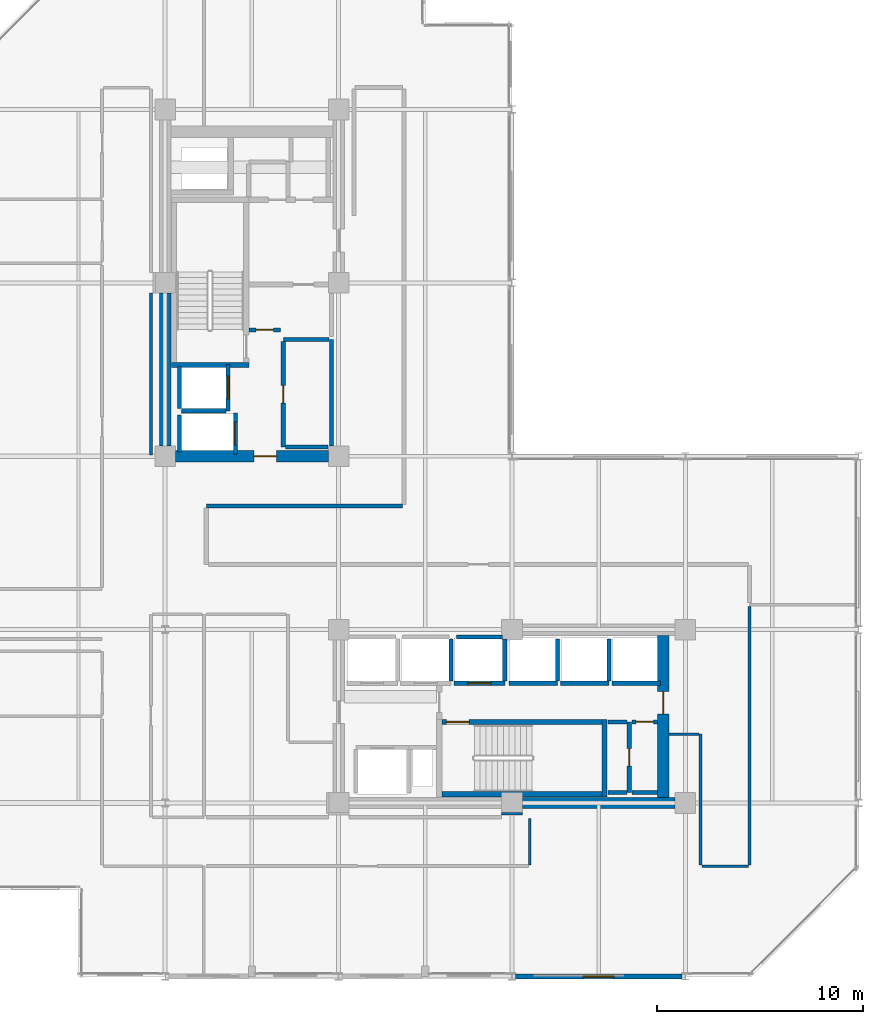
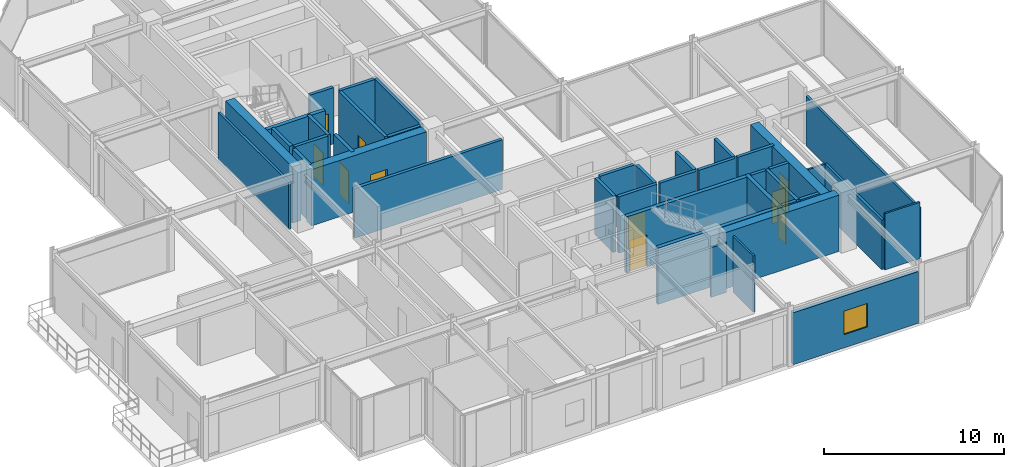
# One storey, part 25 of 29: 41 walls, 10 doors, 1 window, 11 openings.
"""IFC4 building model written with IfcOpenShell, lengths in metres."""

from ifc_helpers import new_model, si_unit, direction, frame, frame_2d, origin, place, context, subcontext, project, spatial, rectangle, extrude, material, layer, layer_set, type_object, element, fill, save


model = new_model("IFC4")

# Units and contexts
model_context = context("Model", 3, precision=1e-05, world=origin(), true_north=direction((0.0, 1.0)))
body_context = subcontext(model_context, "Body", "Model", "MODEL_VIEW")
ifc_project = project(units=[si_unit("LENGTHUNIT", "METRE"), si_unit("AREAUNIT", "SQUARE_METRE"), si_unit("VOLUMEUNIT", "CUBIC_METRE"), si_unit("PLANEANGLEUNIT", "RADIAN"), si_unit("MASSUNIT", "GRAM", prefix="KILO")], contexts=[model_context])

# Site, building, storey
site_placement = place(None, origin())
site = spatial("IfcSite", under=ifc_project, at=site_placement, CompositionType="ELEMENT")
building_placement = place(site_placement, origin())
building = spatial("IfcBuilding", under=site, at=building_placement, Name="Nerrivon Quay Data Exchange", CompositionType="ELEMENT")
storey_placement = place(building_placement, frame((0.0, 0.0, 175.5)))
storey = spatial("IfcBuildingStorey", under=building, at=storey_placement, Name="L41", CompositionType="ELEMENT", Elevation=175.5)

# Wall, opening, window
ifc_material_1 = material(Name="Architectural terracotta precast concrete N50 (50 MPa)", Category="masonry")
ifc_layer_1 = layer(ifc_material_1, 0.239990234375)
ifc_layer_set_1 = layer_set([ifc_layer_1], Name="Architectural terracotta precast concrete N50 (50 MPa)")
wall_type_1 = type_object("IfcWallType", Name="EW-PREC-240", PredefinedType="STANDARD", material=ifc_layer_set_1)
wall_1_placement = place(storey_placement, frame((33.425048828125, 0.0, 0.0), z_axis=(0.0, 0.0, 1.0), x_axis=(-1.0, 0.0, 0.0)))
wall_1 = element("IfcWall", 1, at=wall_1_placement, inside=storey, type_object=wall_type_1, Name="L41 Podium Precast Spandrel Wall 23", PredefinedType="STANDARD", context=body_context, shape_type="SweptSolid", body=[
    extrude(rectangle(XDim=8.050048828125, YDim=0.239990234375, at=frame_2d((4.02490234375, 0.0))), origin(), (0.0, 0.0, 1.0), 3.52490234375),
])
opening_1_placement = place(wall_1_placement, frame((3.27490234375, 0.0, 0.89990234375)))
opening_1 = element("IfcOpeningElement", 2, at=opening_1_placement, cuts=wall_1, Name="Opening WN4", PredefinedType="OPENING", context=body_context, shape_type="SweptSolid", body=[
    extrude(rectangle(XDim=1.5, YDim=1.60009765625, at=frame_2d((0.75, 0.800048828125))), frame((0.0, 0.1298828125, 0.0), z_axis=(0.0, -1.0, 0.0), x_axis=(1.0, 0.0, 0.0)), (0.0, 0.0, 1.0), 0.260009765625),
])
ifc_material_2 = material(Name="Double-glazed low-E solar control glass", Category="glass")
window_type = type_object("IfcWindowType", Name="WIN-W4-1500x1600", PartitioningType="SINGLE_PANEL", PredefinedType="WINDOW", material=ifc_material_2)
window_placement = place(opening_1_placement, origin())
window = element("IfcWindow", 3, at=window_placement, inside=storey, type_object=window_type, Name="L41 Solar Facade Window 23", OverallHeight=1.60009765625, OverallWidth=1.5, PartitioningType="SINGLE_PANEL", PredefinedType="WINDOW", context=body_context, shape_type="SweptSolid", body=[
    extrude(rectangle(XDim=1.5, YDim=1.60009765625, at=frame_2d((0.75, 0.800048828125))), frame((0.0, 0.030029296875, 0.0), z_axis=(0.0, -1.0, 0.0), x_axis=(1.0, 0.0, 0.0)), (0.0, 0.0, 1.0), 0.06005859375),
])
fill(opening_1, window)

# Wall
ifc_material_3 = material(Name="Concrete S65 (65 MPa)", Category="concrete")
ifc_layer_2 = layer(ifc_material_3, 0.550048828125)
ifc_layer_set_2 = layer_set([ifc_layer_2], Name="Concrete S65 (65 MPa)")
wall_type_2 = type_object("IfcWallType", Name="WALL-CW-700", PredefinedType="SHEAR", material=ifc_layer_set_2)
wall_2_placement = place(storey_placement, frame((8.39990234375, 25.699951171875, 0.0), z_axis=(0.0, 0.0, 1.0), x_axis=(0.0, 1.0, 0.0)))
element("IfcWall", 4, at=wall_2_placement, inside=storey, type_object=wall_type_2, Name="L41 West Split-Core Shear Wall WCW-W1", PredefinedType="SHEAR", context=body_context, shape_type="SweptSolid", body=[
    extrude(rectangle(XDim=7.400146484375, YDim=0.550048828125, at=frame_2d((3.7001953125, 0.0))), origin(), (0.0, 0.0, 1.0), 3.824951171875),
])

# Wall, opening, door
wall_3_placement = place(storey_placement, frame((8.89990234375, 25.199951171875, 0.0), z_axis=(0.0, 0.0, 1.0), x_axis=(1.0, 0.0, 0.0)))
wall_3 = element("IfcWall", 5, at=wall_3_placement, inside=storey, type_object=wall_type_2, Name="L41 West Split-Core Shear Wall WCW-S1", PredefinedType="SHEAR", context=body_context, shape_type="SweptSolid", body=[
    extrude(rectangle(XDim=7.400146484375, YDim=0.550048828125, at=frame_2d((3.7001953125, 0.0))), origin(), (0.0, 0.0, 1.0), 3.824951171875),
])
opening_2_placement = place(wall_3_placement, frame((3.800048828125, 0.0, 0.0)))
opening_2 = element("IfcOpeningElement", 6, at=opening_2_placement, cuts=wall_3, Name="Opening FD-120", PredefinedType="OPENING", context=body_context, shape_type="SweptSolid", body=[
    extrude(rectangle(XDim=1.10009765625, YDim=2.14990234375, at=frame_2d((0.550048828125, 1.074951171875))), frame((0.0, 0.284912109375, 0.0), z_axis=(0.0, -1.0, 0.0), x_axis=(1.0, 0.0, 0.0)), (0.0, 0.0, 1.0), 0.570068359375),
])
ifc_material_4 = material(Name="Powder-coated galvanized steel sheet", Category="steel")
door_type_1 = type_object("IfcDoorType", Name="DR-FD120-1100", OperationType="NOTDEFINED", PredefinedType="DOOR", material=ifc_material_4)
door_1_placement = place(opening_2_placement, origin())
door_1 = element("IfcDoor", 7, at=door_1_placement, inside=storey, type_object=door_type_1, Name="L41 West Core Lobby Fire Door", OperationType="SINGLE_SWING_RIGHT", OverallHeight=2.14990234375, OverallWidth=1.10009765625, PredefinedType="DOOR", context=body_context, shape_type="SweptSolid", body=[
    extrude(rectangle(XDim=1.10009765625, YDim=2.14990234375, at=frame_2d((0.550048828125, 1.074951171875))), frame((0.0, 0.02490234375, 0.0), z_axis=(0.0, -1.0, 0.0), x_axis=(1.0, 0.0, 0.0)), (0.0, 0.0, 1.0), 0.050048828125),
])
fill(opening_2, door_1)

# Wall
wall_4_placement = place(storey_placement, frame((25.699951171875, 8.39990234375, 0.0), z_axis=(0.0, 0.0, 1.0), x_axis=(1.0, 0.0, 0.0)))
element("IfcWall", 8, at=wall_4_placement, inside=storey, type_object=wall_type_2, Name="L41 East Split-Core Shear Wall ECW-S2", PredefinedType="SHEAR", context=body_context, shape_type="SweptSolid", body=[
    extrude(rectangle(XDim=7.400146484375, YDim=0.550048828125, at=frame_2d((3.7001953125, 0.0))), origin(), (0.0, 0.0, 1.0), 3.824951171875),
])

# Wall, opening, door
wall_5_placement = place(storey_placement, frame((32.52490234375, 8.675048828125, 0.0), z_axis=(0.0, 0.0, 1.0), x_axis=(0.0, 1.0, 0.0)))
wall_5 = element("IfcWall", 9, at=wall_5_placement, inside=storey, type_object=wall_type_2, Name="L41 East Split-Core Shear Wall ECW-E1", PredefinedType="SHEAR", context=body_context, shape_type="SweptSolid", body=[
    extrude(rectangle(XDim=7.849853515625, YDim=0.550048828125, at=frame_2d((3.9248046875, 0.0))), origin(), (0.0, 0.0, 1.0), 3.824951171875),
])
opening_3_placement = place(wall_5_placement, frame((4.02490234375, 0.0, 0.0)))
opening_3 = element("IfcOpeningElement", 10, at=opening_3_placement, cuts=wall_5, Name="Opening FD-120", PredefinedType="OPENING", context=body_context, shape_type="SweptSolid", body=[
    extrude(rectangle(XDim=1.10009765625, YDim=2.14990234375, at=frame_2d((0.550048828125, 1.074951171875))), frame((0.0, 0.284912109375, 0.0), z_axis=(0.0, -1.0, 0.0), x_axis=(1.0, 0.0, 0.0)), (0.0, 0.0, 1.0), 0.570068359375),
])
door_2_placement = place(opening_3_placement, origin())
door_2 = element("IfcDoor", 11, at=door_2_placement, inside=storey, type_object=door_type_1, Name="L41 East Core Lobby Fire Door", OperationType="SINGLE_SWING_LEFT", OverallHeight=2.14990234375, OverallWidth=1.10009765625, PredefinedType="DOOR", context=body_context, shape_type="SweptSolid", body=[
    extrude(rectangle(XDim=1.10009765625, YDim=2.14990234375, at=frame_2d((0.550048828125, 1.074951171875))), frame((0.0, 0.02490234375, 0.0), z_axis=(0.0, -1.0, 0.0), x_axis=(1.0, 0.0, 0.0)), (0.0, 0.0, 1.0), 0.050048828125),
])
fill(opening_3, door_2)

ifc_material_5 = material(Name="Gypsum plasterboard on cold-formed framing", Category="gypsum")
ifc_layer_3 = layer(ifc_material_5, 0.199951171875)
ifc_layer_set_3 = layer_set([ifc_layer_3], Name="Gypsum plasterboard on cold-formed framing")
wall_type_3 = type_object("IfcWallType", Name="WALL-FW-200", PredefinedType="PARTITIONING", material=ifc_layer_set_3)
wall_6_placement = place(storey_placement, frame((11.449951171875, 27.39990234375, 0.0), z_axis=(0.0, 0.0, 1.0), x_axis=(0.0, 1.0, 0.0)))
wall_6 = element("IfcWall", 12, at=wall_6_placement, inside=storey, type_object=wall_type_3, Name="L41 Lift Front Wall FFL-1", PredefinedType="PARTITIONING", context=body_context, shape_type="SweptSolid", body=[
    extrude(rectangle(XDim=2.25, YDim=0.199951171875, at=frame_2d((1.125, 0.0))), origin(), (0.0, 0.0, 1.0), 3.824951171875),
])
opening_4_placement = place(wall_6_placement, frame((0.574951171875, 0.0, 0.0)))
opening_4 = element("IfcOpeningElement", 13, at=opening_4_placement, cuts=wall_6, Name="Opening LD-120", PredefinedType="OPENING", context=body_context, shape_type="SweptSolid", body=[
    extrude(rectangle(XDim=1.10009765625, YDim=2.199951171875, at=frame_2d((0.550048828125, 1.10009765625))), frame((0.0, 0.10986328125, 0.0), z_axis=(0.0, -1.0, 0.0), x_axis=(1.0, 0.0, 0.0)), (0.0, 0.0, 1.0), 0.219970703125),
])
door_type_2 = type_object("IfcDoorType", Name="DR-LIFT-LD120", OperationType="DOUBLE_DOOR_SLIDING", PredefinedType="DOOR", material=ifc_material_4)
door_3_placement = place(opening_4_placement, origin())
door_3 = element("IfcDoor", 14, at=door_3_placement, inside=storey, type_object=door_type_2, Name="L41 Lift Landing Sliding Door FFL-1", OperationType="DOUBLE_DOOR_SLIDING", OverallHeight=2.199951171875, OverallWidth=1.10009765625, PredefinedType="DOOR", context=body_context, shape_type="SweptSolid", body=[
    extrude(rectangle(XDim=1.10009765625, YDim=2.199951171875, at=frame_2d((0.550048828125, 1.10009765625))), frame((0.0, 0.02490234375, 0.0), z_axis=(0.0, -1.0, 0.0), x_axis=(1.0, 0.0, 0.0)), (0.0, 0.0, 1.0), 0.050048828125),
])
fill(opening_4, door_3)

# Walls
wall_7_placement = place(storey_placement, frame((9.10009765625, 27.5, 0.0), z_axis=(0.0, 0.0, 1.0), x_axis=(0.0, 1.0, 0.0)))
element("IfcWall", 15, at=wall_7_placement, inside=storey, type_object=wall_type_3, Name="L41 Lift Shaft Wall FFL-1 WEST", PredefinedType="PARTITIONING", context=body_context, shape_type="SweptSolid", body=[
    extrude(rectangle(XDim=2.050048828125, YDim=0.199951171875, at=frame_2d((1.02490234375, 0.0))), origin(), (0.0, 0.0, 1.0), 3.824951171875),
])
wall_8_placement = place(storey_placement, frame((9.199951171875, 27.39990234375, 0.0), z_axis=(0.0, 0.0, 1.0), x_axis=(1.0, 0.0, 0.0)))
element("IfcWall", 16, at=wall_8_placement, inside=storey, type_object=wall_type_3, Name="L41 Lift Shaft Wall FFL-1 SOUTH", PredefinedType="PARTITIONING", context=body_context, shape_type="SweptSolid", body=[
    extrude(rectangle(XDim=2.150146484375, YDim=0.199951171875, at=frame_2d((1.0751953125, 0.0))), origin(), (0.0, 0.0, 1.0), 3.824951171875),
])

# Wall, opening, door
wall_9_placement = place(storey_placement, frame((11.800048828125, 25.300048828125, 0.0), z_axis=(0.0, 0.0, 1.0), x_axis=(0.0, 1.0, 0.0)))
wall_9 = element("IfcWall", 17, at=wall_9_placement, inside=storey, type_object=wall_type_3, Name="L41 Lift Front Wall SVL-1", PredefinedType="PARTITIONING", context=body_context, shape_type="SweptSolid", body=[
    extrude(rectangle(XDim=2.0, YDim=0.199951171875, at=frame_2d((1.0, 0.0))), origin(), (0.0, 0.0, 1.0), 3.824951171875),
])
opening_5_placement = place(wall_9_placement, frame((0.449951171875, 0.0, 0.0)))
opening_5 = element("IfcOpeningElement", 18, at=opening_5_placement, cuts=wall_9, Name="Opening LD-120", PredefinedType="OPENING", context=body_context, shape_type="SweptSolid", body=[
    extrude(rectangle(XDim=1.10009765625, YDim=2.199951171875, at=frame_2d((0.550048828125, 1.10009765625))), frame((0.0, 0.10986328125, 0.0), z_axis=(0.0, -1.0, 0.0), x_axis=(1.0, 0.0, 0.0)), (0.0, 0.0, 1.0), 0.219970703125),
])
door_4_placement = place(opening_5_placement, origin())
door_4 = element("IfcDoor", 19, at=door_4_placement, inside=storey, type_object=door_type_2, Name="L41 Lift Landing Sliding Door SVL-1", OperationType="DOUBLE_DOOR_SLIDING", OverallHeight=2.199951171875, OverallWidth=1.10009765625, PredefinedType="DOOR", context=body_context, shape_type="SweptSolid", body=[
    extrude(rectangle(XDim=1.10009765625, YDim=2.199951171875, at=frame_2d((0.550048828125, 1.10009765625))), frame((0.0, 0.02490234375, 0.0), z_axis=(0.0, -1.0, 0.0), x_axis=(1.0, 0.0, 0.0)), (0.0, 0.0, 1.0), 0.050048828125),
])
fill(opening_5, door_4)

# Walls
wall_10_placement = place(storey_placement, frame((9.10009765625, 25.39990234375, 0.0), z_axis=(0.0, 0.0, 1.0), x_axis=(0.0, 1.0, 0.0)))
element("IfcWall", 20, at=wall_10_placement, inside=storey, type_object=wall_type_3, Name="L41 Lift Shaft Wall SVL-1 WEST", PredefinedType="PARTITIONING", context=body_context, shape_type="SweptSolid", body=[
    extrude(rectangle(XDim=1.800048828125, YDim=0.199951171875, at=frame_2d((0.89990234375, 0.0))), origin(), (0.0, 0.0, 1.0), 3.824951171875),
])
wall_11_placement = place(storey_placement, frame((22.25, 14.300048828125, 0.0), z_axis=(0.0, 0.0, 1.0), x_axis=(0.0, 1.0, 0.0)))
element("IfcWall", 21, at=wall_11_placement, inside=storey, type_object=wall_type_3, Name="L41 Lift Shaft Wall PL5 EAST", PredefinedType="PARTITIONING", context=body_context, shape_type="SweptSolid", body=[
    extrude(rectangle(XDim=2.050048828125, YDim=0.199951171875, at=frame_2d((1.02490234375, 0.0))), origin(), (0.0, 0.0, 1.0), 3.824951171875),
])

# Wall, opening, door
wall_12_placement = place(storey_placement, frame((22.39990234375, 14.199951171875, 0.0), z_axis=(0.0, 0.0, 1.0), x_axis=(1.0, 0.0, 0.0)))
wall_12 = element("IfcWall", 22, at=wall_12_placement, inside=storey, type_object=wall_type_3, Name="L41 Lift Front Wall PL6", PredefinedType="PARTITIONING", context=body_context, shape_type="SweptSolid", body=[
    extrude(rectangle(XDim=2.4501953125, YDim=0.199951171875, at=frame_2d((1.22509765625, 0.0))), origin(), (0.0, 0.0, 1.0), 3.824951171875),
])
opening_6_placement = place(wall_12_placement, frame((0.675048828125, 0.0, 0.0)))
opening_6 = element("IfcOpeningElement", 23, at=opening_6_placement, cuts=wall_12, Name="Opening LD-120", PredefinedType="OPENING", context=body_context, shape_type="SweptSolid", body=[
    extrude(rectangle(XDim=1.10009765625, YDim=2.199951171875, at=frame_2d((0.550048828125, 1.10009765625))), frame((0.0, 0.10986328125, 0.0), z_axis=(0.0, -1.0, 0.0), x_axis=(1.0, 0.0, 0.0)), (0.0, 0.0, 1.0), 0.219970703125),
])
door_5_placement = place(opening_6_placement, origin())
door_5 = element("IfcDoor", 24, at=door_5_placement, inside=storey, type_object=door_type_2, Name="L41 Lift Landing Sliding Door PL6", OperationType="DOUBLE_DOOR_SLIDING", OverallHeight=2.199951171875, OverallWidth=1.10009765625, PredefinedType="DOOR", context=body_context, shape_type="SweptSolid", body=[
    extrude(rectangle(XDim=1.10009765625, YDim=2.199951171875, at=frame_2d((0.550048828125, 1.10009765625))), frame((0.0, 0.02490234375, 0.0), z_axis=(0.0, -1.0, 0.0), x_axis=(1.0, 0.0, 0.0)), (0.0, 0.0, 1.0), 0.050048828125),
])
fill(opening_6, door_5)

# Walls
wall_13_placement = place(storey_placement, frame((24.85009765625, 14.300048828125, 0.0), z_axis=(0.0, 0.0, 1.0), x_axis=(0.0, 1.0, 0.0)))
element("IfcWall", 25, at=wall_13_placement, inside=storey, type_object=wall_type_3, Name="L41 Lift Shaft Wall PL6 EAST", PredefinedType="PARTITIONING", context=body_context, shape_type="SweptSolid", body=[
    extrude(rectangle(XDim=2.050048828125, YDim=0.199951171875, at=frame_2d((1.02490234375, 0.0))), origin(), (0.0, 0.0, 1.0), 3.824951171875),
])
wall_14_placement = place(storey_placement, frame((22.5, 16.449951171875, 0.0), z_axis=(0.0, 0.0, 1.0), x_axis=(1.0, 0.0, 0.0)))
element("IfcWall", 26, at=wall_14_placement, inside=storey, type_object=wall_type_3, Name="L41 Lift Shaft Wall PL6 NORTH", PredefinedType="PARTITIONING", context=body_context, shape_type="SweptSolid", body=[
    extrude(rectangle(XDim=2.25, YDim=0.199951171875, at=frame_2d((1.125, 0.0))), origin(), (0.0, 0.0, 1.0), 3.824951171875),
])
wall_15_placement = place(storey_placement, frame((25.050048828125, 14.199951171875, 0.0), z_axis=(0.0, 0.0, 1.0), x_axis=(1.0, 0.0, 0.0)))
element("IfcWall", 27, at=wall_15_placement, inside=storey, type_object=wall_type_3, Name="L41 Lift Front Wall PL7", PredefinedType="PARTITIONING", context=body_context, shape_type="SweptSolid", body=[
    extrude(rectangle(XDim=2.349853515625, YDim=0.199951171875, at=frame_2d((1.1748046875, 0.0))), origin(), (0.0, 0.0, 1.0), 3.824951171875),
])
wall_16_placement = place(storey_placement, frame((27.39990234375, 14.300048828125, 0.0), z_axis=(0.0, 0.0, 1.0), x_axis=(0.0, 1.0, 0.0)))
element("IfcWall", 28, at=wall_16_placement, inside=storey, type_object=wall_type_3, Name="L41 Lift Shaft Wall PL7 EAST", PredefinedType="PARTITIONING", context=body_context, shape_type="SweptSolid", body=[
    extrude(rectangle(XDim=2.050048828125, YDim=0.199951171875, at=frame_2d((1.02490234375, 0.0))), origin(), (0.0, 0.0, 1.0), 3.824951171875),
])
wall_17_placement = place(storey_placement, frame((27.550048828125, 14.199951171875, 0.0), z_axis=(0.0, 0.0, 1.0), x_axis=(1.0, 0.0, 0.0)))
element("IfcWall", 29, at=wall_17_placement, inside=storey, type_object=wall_type_3, Name="L41 Lift Front Wall PL8", PredefinedType="PARTITIONING", context=body_context, shape_type="SweptSolid", body=[
    extrude(rectangle(XDim=2.349853515625, YDim=0.199951171875, at=frame_2d((1.1748046875, 0.0))), origin(), (0.0, 0.0, 1.0), 3.824951171875),
])
wall_18_placement = place(storey_placement, frame((29.89990234375, 14.300048828125, 0.0), z_axis=(0.0, 0.0, 1.0), x_axis=(0.0, 1.0, 0.0)))
element("IfcWall", 30, at=wall_18_placement, inside=storey, type_object=wall_type_3, Name="L41 Lift Shaft Wall PL8 EAST", PredefinedType="PARTITIONING", context=body_context, shape_type="SweptSolid", body=[
    extrude(rectangle(XDim=2.050048828125, YDim=0.199951171875, at=frame_2d((1.02490234375, 0.0))), origin(), (0.0, 0.0, 1.0), 3.824951171875),
])
wall_19_placement = place(storey_placement, frame((30.050048828125, 14.199951171875, 0.0), z_axis=(0.0, 0.0, 1.0), x_axis=(1.0, 0.0, 0.0)))
element("IfcWall", 31, at=wall_19_placement, inside=storey, type_object=wall_type_3, Name="L41 Lift Front Wall PL9", PredefinedType="PARTITIONING", context=body_context, shape_type="SweptSolid", body=[
    extrude(rectangle(XDim=2.349853515625, YDim=0.199951171875, at=frame_2d((1.1748046875, 0.0))), origin(), (0.0, 0.0, 1.0), 3.824951171875),
])
wall_20_placement = place(storey_placement, frame((16.449951171875, 25.705078125, 0.0), z_axis=(0.0, 0.0, 1.0), x_axis=(0.0, 1.0, 0.0)))
element("IfcWall", 32, at=wall_20_placement, inside=storey, type_object=wall_type_3, Name="L41 Partition Fibre Patch Store", PredefinedType="PARTITIONING", context=body_context, shape_type="SweptSolid", body=[
    extrude(rectangle(XDim=5.14501953125, YDim=0.199951171875, at=frame_2d((2.572509765625, 0.0))), origin(), (0.0, 0.0, 1.0), 3.824951171875),
])
wall_21_placement = place(storey_placement, frame((16.345947265625, 30.85009765625, 0.0), z_axis=(0.0, 0.0, 1.0), x_axis=(-1.0, 0.0, 0.0)))
element("IfcWall", 33, at=wall_21_placement, inside=storey, type_object=wall_type_3, Name="L41 Partition Fibre Patch Store", PredefinedType="PARTITIONING", context=body_context, shape_type="SweptSolid", body=[
    extrude(rectangle(XDim=2.225830078125, YDim=0.199951171875, at=frame_2d((1.11279296875, 0.0))), origin(), (0.0, 0.0, 1.0), 3.824951171875),
])

# Wall, opening, door
wall_22_placement = place(storey_placement, frame((14.1201171875, 30.74609375, 0.0), z_axis=(0.0, 0.0, 1.0), x_axis=(0.0, -1.0, 0.0)))
wall_22 = element("IfcWall", 34, at=wall_22_placement, inside=storey, type_object=wall_type_3, Name="L41 Partition Fibre Patch Store", PredefinedType="PARTITIONING", context=body_context, shape_type="SweptSolid", body=[
    extrude(rectangle(XDim=5.09619140625, YDim=0.199951171875, at=frame_2d((2.548095703125, 0.0))), origin(), (0.0, 0.0, 1.0), 3.824951171875),
])
opening_7_placement = place(wall_22_placement, frame((2.123046875, 0.0, 0.0)))
opening_7 = element("IfcOpeningElement", 35, at=opening_7_placement, cuts=wall_22, Name="Opening FD-60S", PredefinedType="OPENING", context=body_context, shape_type="SweptSolid", body=[
    extrude(rectangle(XDim=0.85009765625, YDim=2.14990234375, at=frame_2d((0.425048828125, 1.074951171875))), frame((0.0, 0.10986328125, 0.0), z_axis=(0.0, -1.0, 0.0), x_axis=(1.0, 0.0, 0.0)), (0.0, 0.0, 1.0), 0.219970703125),
])
ifc_material_6 = material(Name="Engineered hardwood timber", Category="wood")
door_type_3 = type_object("IfcDoorType", Name="DR-FD60-850", OperationType="NOTDEFINED", PredefinedType="DOOR", material=ifc_material_6)
door_6_placement = place(opening_7_placement, origin())
door_6 = element("IfcDoor", 36, at=door_6_placement, inside=storey, type_object=door_type_3, Name="L41 Door Fibre Patch Store", OperationType="SINGLE_SWING_LEFT", OverallHeight=2.14990234375, OverallWidth=0.85009765625, PredefinedType="DOOR", context=body_context, shape_type="SweptSolid", body=[
    extrude(rectangle(XDim=0.85009765625, YDim=2.14990234375, at=frame_2d((0.425048828125, 1.074951171875))), frame((0.0, 0.02490234375, 0.0), z_axis=(0.0, -1.0, 0.0), x_axis=(1.0, 0.0, 0.0)), (0.0, 0.0, 1.0), 0.050048828125),
])
fill(opening_7, door_6)

# Wall
wall_23_placement = place(storey_placement, frame((14.22412109375, 25.64990234375, 0.0), z_axis=(0.0, 0.0, 1.0), x_axis=(1.0, 0.0, 0.0)))
element("IfcWall", 37, at=wall_23_placement, inside=storey, type_object=wall_type_3, Name="L41 Partition Fibre Patch Store", PredefinedType="PARTITIONING", context=body_context, shape_type="SweptSolid", body=[
    extrude(rectangle(XDim=2.07080078125, YDim=0.199951171875, at=frame_2d((1.035400390625, 0.0))), origin(), (0.0, 0.0, 1.0), 3.824951171875),
])

# Wall, opening, door
wall_24_placement = place(storey_placement, frame((12.4541015625, 31.320068359375, 0.0), z_axis=(0.0, 0.0, 1.0), x_axis=(0.999999949061, -0.000319182876, 0.0)))
wall_24 = element("IfcWall", 38, at=wall_24_placement, inside=storey, type_object=wall_type_3, Name="L41 Partition Core Equipment Closet", PredefinedType="PARTITIONING", context=body_context, shape_type="SweptSolid", body=[
    extrude(rectangle(XDim=1.52978515625, YDim=0.199951171875, at=frame_2d((0.764892578125, 0.0))), origin(), (0.0, 0.0, 1.0), 3.824951171875),
])
opening_8_placement = place(wall_24_placement, frame((0.340087890625, 0.0, 0.0)))
opening_8 = element("IfcOpeningElement", 39, at=opening_8_placement, cuts=wall_24, Name="Opening FD-60S", PredefinedType="OPENING", context=body_context, shape_type="SweptSolid", body=[
    extrude(rectangle(XDim=0.85009765625, YDim=2.14990234375, at=frame_2d((0.425048828125, 1.074951171875))), frame((0.0, 0.10986328125, 0.0), z_axis=(0.0, -1.0, 0.0), x_axis=(1.0, 0.0, 0.0)), (0.0, 0.0, 1.0), 0.219970703125),
])
door_7_placement = place(opening_8_placement, origin())
door_7 = element("IfcDoor", 40, at=door_7_placement, inside=storey, type_object=door_type_3, Name="L41 Door Core Equipment Closet", OperationType="SINGLE_SWING_RIGHT", OverallHeight=2.14990234375, OverallWidth=0.85009765625, PredefinedType="DOOR", context=body_context, shape_type="SweptSolid", body=[
    extrude(rectangle(XDim=0.85009765625, YDim=2.14990234375, at=frame_2d((0.425048828125, 1.074951171875))), frame((0.0, 0.02490234375, 0.0), z_axis=(0.0, -1.0, 0.0), x_axis=(1.0, 0.0, 0.0)), (0.0, 0.0, 1.0), 0.050048828125),
])
fill(opening_8, door_7)

wall_25_placement = place(storey_placement, frame((30.8798828125, 8.89990234375, 0.0), z_axis=(0.0, 0.0, 1.0), x_axis=(0.0, 1.0, 0.0)))
wall_25 = element("IfcWall", 41, at=wall_25_placement, inside=storey, type_object=wall_type_3, Name="L41 Partition East Electrical Closet", PredefinedType="PARTITIONING", context=body_context, shape_type="SweptSolid", body=[
    extrude(rectangle(XDim=3.43017578125, YDim=0.199951171875, at=frame_2d((1.715087890625, 0.0))), origin(), (0.0, 0.0, 1.0), 3.824951171875),
])
opening_9_placement = place(wall_25_placement, frame((1.2900390625, 0.0, 0.0)))
opening_9 = element("IfcOpeningElement", 42, at=opening_9_placement, cuts=wall_25, Name="Opening FD-60S", PredefinedType="OPENING", context=body_context, shape_type="SweptSolid", body=[
    extrude(rectangle(XDim=0.85009765625, YDim=2.14990234375, at=frame_2d((0.425048828125, 1.074951171875))), frame((0.0, 0.10986328125, 0.0), z_axis=(0.0, -1.0, 0.0), x_axis=(1.0, 0.0, 0.0)), (0.0, 0.0, 1.0), 0.219970703125),
])
door_8_placement = place(opening_9_placement, origin())
door_8 = element("IfcDoor", 43, at=door_8_placement, inside=storey, type_object=door_type_3, Name="L41 Door East Electrical Closet", OperationType="SINGLE_SWING_LEFT", OverallHeight=2.14990234375, OverallWidth=0.85009765625, PredefinedType="DOOR", context=body_context, shape_type="SweptSolid", body=[
    extrude(rectangle(XDim=0.85009765625, YDim=2.14990234375, at=frame_2d((0.425048828125, 1.074951171875))), frame((0.0, 0.02490234375, 0.0), z_axis=(0.0, -1.0, 0.0), x_axis=(1.0, 0.0, 0.0)), (0.0, 0.0, 1.0), 0.050048828125),
])
fill(opening_9, door_8)

# Walls
for number, where, z_axis, x_axis, name in (
    (44, (30.77587890625, 12.330078125, 0.0), (0.0, 0.0, 1.0), (-1.0, 0.0, 0.0), "L41 Partition East Electrical Closet"),
    (45, (29.85009765625, 8.89990234375, 0.0), (0.0, 0.0, 1.0), (1.0, 0.0, 0.0), "L41 Partition East Electrical Closet"),
):
    element("IfcWall", number, at=place(storey_placement, frame(where, z_axis=z_axis, x_axis=x_axis)), inside=storey, type_object=wall_type_3, Name=name, PredefinedType="PARTITIONING", context=body_context, shape_type="SweptSolid", body=[
        extrude(rectangle(XDim=0.92578125, YDim=0.199951171875, at=frame_2d((0.462890625, 0.0))), origin(), (0.0, 0.0, 1.0), 3.824951171875),
    ])

# Wall, opening, door
wall_26_placement = place(storey_placement, frame((32.24609375, 12.330078125, 0.0), z_axis=(0.0, 0.0, 1.0), x_axis=(-1.0, 0.0, 0.0)))
wall_26 = element("IfcWall", 46, at=wall_26_placement, inside=storey, type_object=wall_type_3, Name="L41 Partition East Cleaners Store", PredefinedType="PARTITIONING", context=body_context, shape_type="SweptSolid", body=[
    extrude(rectangle(XDim=1.22607421875, YDim=0.199951171875, at=frame_2d((0.613037109375, 0.0))), origin(), (0.0, 0.0, 1.0), 3.824951171875),
])
opening_10_placement = place(wall_26_placement, frame((0.18798828125, 0.0, 0.0)))
opening_10 = element("IfcOpeningElement", 47, at=opening_10_placement, cuts=wall_26, Name="Opening FD-60S", PredefinedType="OPENING", context=body_context, shape_type="SweptSolid", body=[
    extrude(rectangle(XDim=0.85009765625, YDim=2.14990234375, at=frame_2d((0.425048828125, 1.074951171875))), frame((0.0, 0.10986328125, 0.0), z_axis=(0.0, -1.0, 0.0), x_axis=(1.0, 0.0, 0.0)), (0.0, 0.0, 1.0), 0.219970703125),
])
door_9_placement = place(opening_10_placement, origin())
door_9 = element("IfcDoor", 48, at=door_9_placement, inside=storey, type_object=door_type_3, Name="L41 Door East Cleaners Store", OperationType="SINGLE_SWING_RIGHT", OverallHeight=2.14990234375, OverallWidth=0.85009765625, PredefinedType="DOOR", context=body_context, shape_type="SweptSolid", body=[
    extrude(rectangle(XDim=0.85009765625, YDim=2.14990234375, at=frame_2d((0.425048828125, 1.074951171875))), frame((0.0, 0.02490234375, 0.0), z_axis=(0.0, -1.0, 0.0), x_axis=(1.0, 0.0, 0.0)), (0.0, 0.0, 1.0), 0.050048828125),
])
fill(opening_10, door_9)

# Walls
wall_27_placement = place(storey_placement, frame((31.02001953125, 8.89990234375, 0.0), z_axis=(0.0, 0.0, 1.0), x_axis=(1.0, 0.0, 0.0)))
element("IfcWall", 49, at=wall_27_placement, inside=storey, type_object=wall_type_3, Name="L41 Partition East Cleaners Store", PredefinedType="PARTITIONING", context=body_context, shape_type="SweptSolid", body=[
    extrude(rectangle(XDim=1.22607421875, YDim=0.199951171875, at=frame_2d((0.613037109375, 0.0))), origin(), (0.0, 0.0, 1.0), 3.824951171875),
])
wall_28_placement = place(storey_placement, frame((19.89990234375, 22.7900390625, 0.0), z_axis=(0.0, 0.0, 1.0), x_axis=(-1.0, 0.0, 0.0)))
element("IfcWall", 50, at=wall_28_placement, inside=storey, type_object=wall_type_3, Name="L41 Partition Colocation Data Workspace 1", PredefinedType="PARTITIONING", context=body_context, shape_type="SweptSolid", body=[
    extrude(rectangle(XDim=9.510009765625, YDim=0.199951171875, at=frame_2d((4.7548828125, 0.0))), origin(), (0.0, 0.0, 1.0), 3.37109375),
])
ifc_layer_4 = layer(ifc_material_5, 0.1201171875)
ifc_layer_set_4 = layer_set([ifc_layer_4], Name="Gypsum plasterboard on cold-formed framing")
wall_type_4 = type_object("IfcWallType", Name="WALL-PT-120", PredefinedType="PARTITIONING", material=ifc_layer_set_4)
wall_29_placement = place(storey_placement, frame((36.656005859375, 5.34033203125, 0.0), z_axis=(0.0, 0.0, 1.0), x_axis=(-0.999999994145, -0.000108213396, 0.0)))
element("IfcWall", 51, at=wall_29_placement, inside=storey, type_object=wall_type_4, Name="L41 Partition Technical Library", PredefinedType="PARTITIONING", context=body_context, shape_type="SweptSolid", body=[
    extrude(rectangle(XDim=2.256103515625, YDim=0.1201171875, at=frame_2d((1.1279296875, 0.0))), origin(), (0.0, 0.0, 1.0), 3.824951171875),
])
wall_30_placement = place(storey_placement, frame((34.260986328125, 11.739990234375, 0.0), z_axis=(0.0, 0.0, 1.0), x_axis=(-1.0, 0.0, 0.0)))
element("IfcWall", 52, at=wall_30_placement, inside=storey, type_object=wall_type_4, Name="L41 Partition Technical Library", PredefinedType="PARTITIONING", context=body_context, shape_type="SweptSolid", body=[
    extrude(rectangle(XDim=1.45703125, YDim=0.1201171875, at=frame_2d((0.728515625, 0.0))), origin(), (0.0, 0.0, 1.0), 3.37109375),
])
wall_31_placement = place(storey_placement, frame((25.703857421875, 7.88037109375, 0.0), z_axis=(0.0, 0.0, 1.0), x_axis=(-0.999999881717, -0.000486381265, 0.0)))
element("IfcWall", 53, at=wall_31_placement, inside=storey, type_object=wall_type_4, Name="L41 Partition Technical Library", PredefinedType="PARTITIONING", context=body_context, shape_type="SweptSolid", body=[
    extrude(rectangle(XDim=1.00390625, YDim=0.1201171875, at=frame_2d((0.501953125, 0.0))), origin(), (0.0, 0.0, 1.0), 3.37109375),
])
wall_32_placement = place(storey_placement, frame((26.06005859375, 7.64990234375, 0.0), z_axis=(0.0, 0.0, 1.0), x_axis=(0.0, -1.0, 0.0)))
element("IfcWall", 54, at=wall_32_placement, inside=storey, type_object=wall_type_4, Name="L41 Partition Technical Library", PredefinedType="PARTITIONING", context=body_context, shape_type="SweptSolid", body=[
    extrude(rectangle(XDim=2.25, YDim=0.1201171875, at=frame_2d((1.125, 0.0))), origin(), (0.0, 0.0, 1.0), 3.824951171875),
])
ifc_layer_5 = layer(ifc_material_5, 0.14990234375)
ifc_layer_set_5 = layer_set([ifc_layer_5], Name="Gypsum plasterboard on cold-formed framing")
wall_type_5 = type_object("IfcWallType", Name="WALL-PT-150", PredefinedType="PARTITIONING", material=ifc_layer_set_5)
wall_33_placement = place(storey_placement, frame((7.7099609375, 33.095947265625, 0.0), z_axis=(0.0, 0.0, 1.0), x_axis=(0.0, -1.0, 0.0)))
element("IfcWall", 55, at=wall_33_placement, inside=storey, type_object=wall_type_5, Name="L41 Partition Network Security Control", PredefinedType="PARTITIONING", context=body_context, shape_type="SweptSolid", body=[
    extrude(rectangle(XDim=7.8359375, YDim=0.14990234375, at=frame_2d((3.91796875, 0.0))), origin(), (0.0, 0.0, 1.0), 3.212890625),
])
wall_34_placement = place(storey_placement, frame((36.7099609375, 17.927734375, 0.0), z_axis=(0.0, 0.0, 1.0), x_axis=(0.0, -1.0, 0.0)))
element("IfcWall", 56, at=wall_34_placement, inside=storey, type_object=wall_type_5, Name="L41 Partition Technical Library", PredefinedType="PARTITIONING", context=body_context, shape_type="SweptSolid", body=[
    extrude(rectangle(XDim=12.52783203125, YDim=0.14990234375, at=frame_2d((6.263916015625, 0.0))), origin(), (0.0, 0.0, 1.0), 3.364990234375),
])
wall_35_placement = place(storey_placement, frame((34.340087890625, 5.39990234375, 0.0), z_axis=(0.0, 0.0, 1.0), x_axis=(0.0, 1.0, 0.0)))
element("IfcWall", 57, at=wall_35_placement, inside=storey, type_object=wall_type_5, Name="L41 Partition Technical Library", PredefinedType="PARTITIONING", context=body_context, shape_type="SweptSolid", body=[
    extrude(rectangle(XDim=6.340087890625, YDim=0.14990234375, at=frame_2d((3.169921875, 0.0))), origin(), (0.0, 0.0, 1.0), 3.364990234375),
])
ifc_material_7 = material(Name="Concrete N50 (50 MPa)", Category="concrete")
ifc_layer_6 = layer(ifc_material_7, 0.25)
ifc_layer_set_6 = layer_set([ifc_layer_6], Name="Concrete N50 (50 MPa)")
wall_type_6 = type_object("IfcWallType", Name="WALL-SW-250", PredefinedType="SHEAR", material=ifc_layer_set_6)
for number, where, z_axis, x_axis, name in (
    (58, (12.449951171875, 29.625, 0.0), (0.0, 0.0, 1.0), (-1.0, 0.0, 0.0), "L41 ST01 Structural Stair Core Wall NEAR"),
    (59, (29.675048828125, 8.699951171875, 0.0), (0.0, 0.0, 1.0), (0.0, 1.0, 0.0), "L41 ST02 Structural Stair Core Wall FAR"),
):
    element("IfcWall", number, at=place(storey_placement, frame(where, z_axis=z_axis, x_axis=x_axis)), inside=storey, type_object=wall_type_6, Name=name, PredefinedType="SHEAR", context=body_context, shape_type="SweptSolid", body=[
        extrude(rectangle(XDim=3.75, YDim=0.25, at=frame_2d((1.875, 0.0))), origin(), (0.0, 0.0, 1.0), 3.824951171875),
    ])
wall_36_placement = place(storey_placement, frame((21.800048828125, 8.824951171875, 0.0), z_axis=(0.0, 0.0, 1.0), x_axis=(1.0, 0.0, 0.0)))
element("IfcWall", 60, at=wall_36_placement, inside=storey, type_object=wall_type_6, Name="L41 ST02 Structural Stair Core Wall LEFT", PredefinedType="SHEAR", context=body_context, shape_type="SweptSolid", body=[
    extrude(rectangle(XDim=7.75, YDim=0.25, at=frame_2d((3.875, 0.0))), origin(), (0.0, 0.0, 1.0), 3.824951171875),
])

# Wall, opening, door
wall_37_placement = place(storey_placement, frame((21.800048828125, 12.324951171875, 0.0), z_axis=(0.0, 0.0, 1.0), x_axis=(1.0, 0.0, 0.0)))
wall_37 = element("IfcWall", 61, at=wall_37_placement, inside=storey, type_object=wall_type_6, Name="L41 ST02 Structural Stair Core Wall RIGHT", PredefinedType="SHEAR", context=body_context, shape_type="SweptSolid", body=[
    extrude(rectangle(XDim=7.75, YDim=0.25, at=frame_2d((3.875, 0.0))), origin(), (0.0, 0.0, 1.0), 3.824951171875),
])
opening_11_placement = place(wall_37_placement, frame((0.219970703125, 0.0, 0.0)))
opening_11 = element("IfcOpeningElement", 62, at=opening_11_placement, cuts=wall_37, Name="Opening FD-120", PredefinedType="OPENING", context=body_context, shape_type="SweptSolid", body=[
    extrude(rectangle(XDim=1.10009765625, YDim=2.14990234375, at=frame_2d((0.550048828125, 1.074951171875))), frame((0.0, 0.135009765625, 0.0), z_axis=(0.0, -1.0, 0.0), x_axis=(1.0, 0.0, 0.0)), (0.0, 0.0, 1.0), 0.27001953125),
])
door_10_placement = place(opening_11_placement, origin())
door_10 = element("IfcDoor", 63, at=door_10_placement, inside=storey, type_object=door_type_1, Name="L41 Protected Stair Door ST02", OperationType="SINGLE_SWING_RIGHT", OverallHeight=2.14990234375, OverallWidth=1.10009765625, PredefinedType="DOOR", context=body_context, shape_type="SweptSolid", body=[
    extrude(rectangle(XDim=1.10009765625, YDim=2.14990234375, at=frame_2d((0.550048828125, 1.074951171875))), frame((0.0, 0.02490234375, 0.0), z_axis=(0.0, -1.0, 0.0), x_axis=(1.0, 0.0, 0.0)), (0.0, 0.0, 1.0), 0.050048828125),
])
fill(opening_11, door_10)

save(model, "model.ifc")
